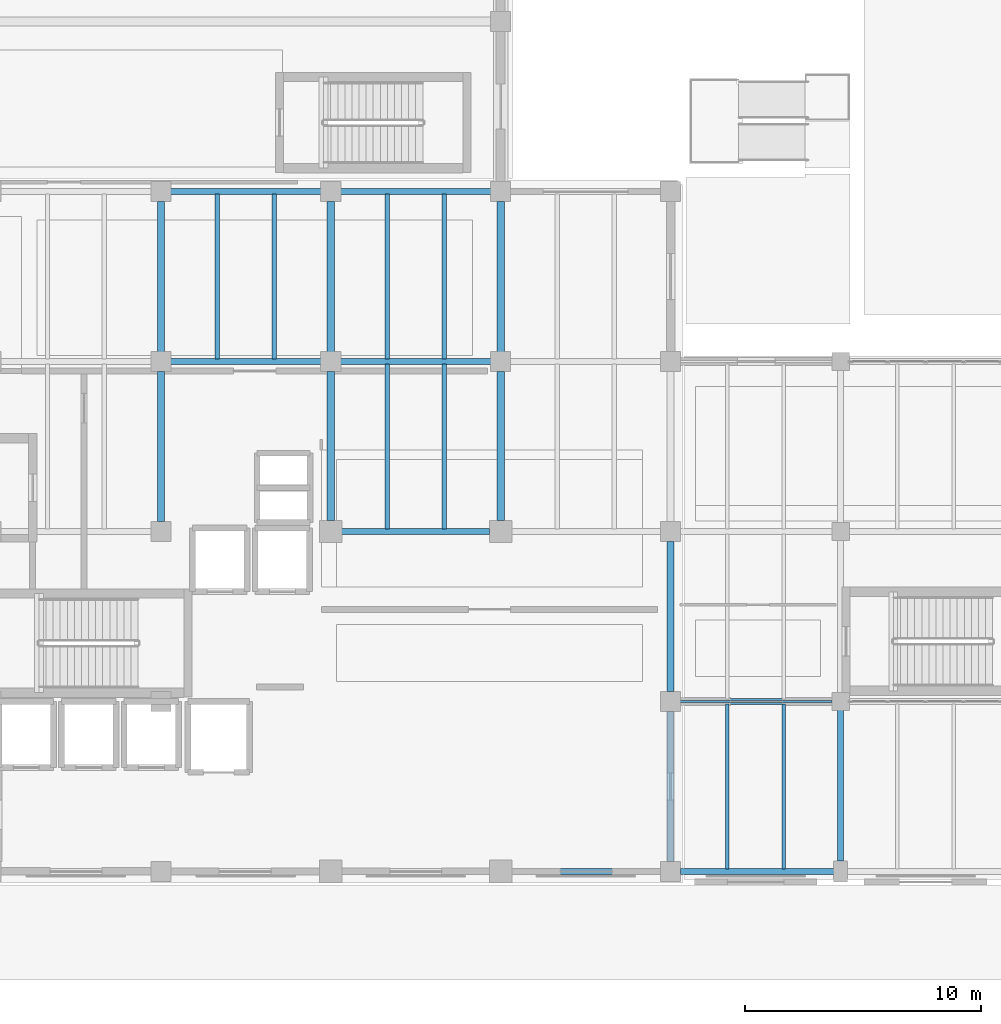
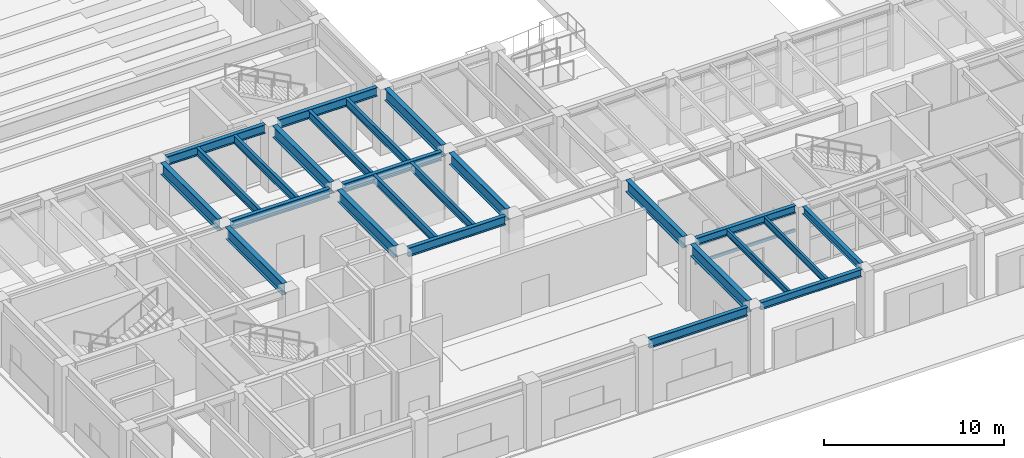
# One storey, part 6 of 39: 26 beams.
"""IFC4 building model written with IfcOpenShell, lengths in metres."""

from ifc_helpers import new_model, si_unit, direction, frame, origin, origin_2d, place, context, subcontext, project, spatial, hollow_rectangle, i_section, extrude, material, material_profile, profile_set, type_object, element, save


model = new_model("IFC4")

# Units and contexts
model_context = context("Model", 3, precision=1e-05, world=origin(), true_north=direction((0.0, 1.0)))
body_context = subcontext(model_context, "Body", "Model", "MODEL_VIEW")
ifc_project = project(units=[si_unit("LENGTHUNIT", "METRE"), si_unit("AREAUNIT", "SQUARE_METRE"), si_unit("VOLUMEUNIT", "CUBIC_METRE"), si_unit("PLANEANGLEUNIT", "RADIAN"), si_unit("MASSUNIT", "GRAM", prefix="KILO")], contexts=[model_context])

# Site, building, storey
site_placement = place(None, origin())
site = spatial("IfcSite", under=ifc_project, at=site_placement, CompositionType="ELEMENT")
building_placement = place(site_placement, origin())
building = spatial("IfcBuilding", under=site, at=building_placement, Name="Kandorven Conservatory and Botanical Research Centre", CompositionType="ELEMENT")
storey_placement = place(building_placement, origin())
storey = spatial("IfcBuildingStorey", under=building, at=storey_placement, Name="L00", CompositionType="ELEMENT", Elevation=0.0)

# Beams
ifc_material_1 = material(Name="Steel S355 (IS 2062 E350)", Category="steel")
ifc_material_profile_1 = material_profile(ifc_material_1, i_section(OverallWidth=0.25, OverallDepth=0.60009765625, WebThickness=0.01171875, FlangeThickness=0.023681640625, at=origin_2d()))
ifc_profile_set_1 = profile_set([ifc_material_profile_1], Name="Steel S355 (IS 2062 E350)")
beam_type_1 = type_object("IfcBeamType", Name="Beam_FG-01", PredefinedType="USERDEFINED", material=ifc_profile_set_1)
beam_1_placement = place(storey_placement, frame((35.264892578125, 6.0, 4.179931640625), z_axis=(1.0, 0.0, 0.0), x_axis=(0.0, 1.0, 0.0)))
element("IfcBeam", 1, at=beam_1_placement, inside=storey, type_object=beam_type_1, Name="Primary girder FG-01 TWR L00", ObjectType="GIRDER", PredefinedType="USERDEFINED", context=body_context, shape_type="SweptSolid", body=[
    extrude(i_section(OverallWidth=0.25, OverallDepth=0.60009765625, WebThickness=0.01171875, FlangeThickness=0.023681640625, at=origin_2d()), origin(), (0.0, 0.0, 1.0), 6.320068359375),
])
beam_2_placement = place(storey_placement, frame((28.06494140625, 20.39990234375, 4.179931640625), z_axis=(1.0, 0.0, 0.0), x_axis=(0.0, 1.0, 0.0)))
element("IfcBeam", 2, at=beam_2_placement, inside=storey, type_object=beam_type_1, Name="Primary girder FG-01 TWR L00", ObjectType="GIRDER", PredefinedType="USERDEFINED", context=body_context, shape_type="SweptSolid", body=[
    extrude(i_section(OverallWidth=0.25, OverallDepth=0.60009765625, WebThickness=0.01171875, FlangeThickness=0.023681640625, at=origin_2d()), origin(), (0.0, 0.0, 1.0), 6.27001953125),
])
for number, where, z_axis, x_axis, name in (
    (3, (20.81494140625, 27.60009765625, 4.179931640625), (1.0, 0.0, 0.0), (0.0, 1.0, 0.0), "Primary girder FG-01 TWR L00"),
    (4, (28.014892578125, 27.60009765625, 4.179931640625), (1.0, 0.0, 0.0), (0.0, 1.0, 0.0), "Primary girder FG-01 TWR L00"),
    (5, (20.81494140625, 34.800048828125, 4.179931640625), (1.0, 0.0, 0.0), (0.0, 1.0, 0.0), "Primary girder FG-01 TWR L00"),
    (6, (28.014892578125, 34.800048828125, 4.179931640625), (1.0, 0.0, 0.0), (0.0, 1.0, 0.0), "Primary girder FG-01 TWR L00"),
):
    element("IfcBeam", number, at=place(storey_placement, frame(where, z_axis=z_axis, x_axis=x_axis)), inside=storey, type_object=beam_type_1, Name=name, ObjectType="GIRDER", PredefinedType="USERDEFINED", context=body_context, shape_type="SweptSolid", body=[
        extrude(i_section(OverallWidth=0.25, OverallDepth=0.60009765625, WebThickness=0.01171875, FlangeThickness=0.023681640625, at=origin_2d()), origin(), (0.0, 0.0, 1.0), 6.3701171875),
    ])
ifc_material_2 = material(Name="Steel S355 (IS 2062 E350)", Category="steel")
ifc_material_profile_2 = material_profile(ifc_material_2, i_section(OverallWidth=0.25, OverallDepth=0.5, WebThickness=0.010009765625, FlangeThickness=0.0146484375, at=origin_2d()))
ifc_profile_set_2 = profile_set([ifc_material_profile_2], Name="Steel S355 (IS 2062 E350)")
beam_type_2 = type_object("IfcBeamType", Name="Beam_FG-02", PredefinedType="USERDEFINED", material=ifc_profile_set_2)
beam_3_placement = place(storey_placement, frame((42.4150390625, 6.0, 4.22998046875), z_axis=(1.0, 0.0, 0.0), x_axis=(0.0, 1.0, 0.0)))
element("IfcBeam", 7, at=beam_3_placement, inside=storey, type_object=beam_type_2, Name="Primary girder FG-02 VIS L00", ObjectType="GIRDER", PredefinedType="USERDEFINED", context=body_context, shape_type="SweptSolid", body=[
    extrude(i_section(OverallWidth=0.25, OverallDepth=0.5, WebThickness=0.010009765625, FlangeThickness=0.0146484375, at=origin_2d()), origin(), (0.0, 0.0, 1.0), 6.494873046875),
])
beam_4_placement = place(storey_placement, frame((42.4150390625, 13.199951171875, 4.22998046875), z_axis=(1.0, 0.0, 0.0), x_axis=(0.0, 1.0, 0.0)))
element("IfcBeam", 8, at=beam_4_placement, inside=storey, type_object=beam_type_2, Name="Primary girder FG-02 VIS L00", ObjectType="GIRDER", PredefinedType="USERDEFINED", context=body_context, shape_type="SweptSolid", body=[
    extrude(i_section(OverallWidth=0.25, OverallDepth=0.5, WebThickness=0.010009765625, FlangeThickness=0.0146484375, at=origin_2d()), origin(), (0.0, 0.0, 1.0), 6.419921875),
])
beam_5_placement = place(storey_placement, frame((49.199951171875, 6.43994140625, 4.22998046875), z_axis=(0.0, 1.0, 0.0), x_axis=(-1.0, 0.0, 0.0)))
element("IfcBeam", 9, at=beam_5_placement, inside=storey, type_object=beam_type_2, Name="Primary girder FG-02 VIS L00", ObjectType="GIRDER", PredefinedType="USERDEFINED", context=body_context, shape_type="SweptSolid", body=[
    extrude(i_section(OverallWidth=0.25, OverallDepth=0.5, WebThickness=0.010009765625, FlangeThickness=0.0146484375, at=origin_2d()), origin(), (0.0, 0.0, 1.0), 6.39501953125),
])
ifc_material_3 = material(Name="Steel S355 (IS 2062 E350)", Category="steel")
ifc_material_profile_3 = material_profile(ifc_material_3, hollow_rectangle(XDim=0.10009765625, YDim=0.199951171875, WallThickness=0.008056640625, at=origin_2d()))
ifc_profile_set_3 = profile_set([ifc_material_profile_3], Name="Steel S355 (IS 2062 E350)")
beam_type_3 = type_object("IfcBeamType", Name="Beam_LN-01", PredefinedType="LINTEL", material=ifc_profile_set_3)
beam_6_placement = place(storey_placement, frame((42.375, 13.199951171875, 2.75), z_axis=(1.0, 0.0, 0.0), x_axis=(0.0, 1.0, 0.0)))
element("IfcBeam", 10, at=beam_6_placement, inside=storey, type_object=beam_type_3, Name="Column-to-column opening transom lintel LN-01 L00-1-1", PredefinedType="LINTEL", context=body_context, shape_type="SweptSolid", body=[
    extrude(hollow_rectangle(XDim=0.10009765625, YDim=0.199951171875, WallThickness=0.008056640625, at=origin_2d()), origin(), (0.0, 0.0, 1.0), 6.449951171875),
])
ifc_material_4 = material(Name="Steel S355 (IS 2062 E350)", Category="steel")
ifc_material_profile_4 = material_profile(ifc_material_4, i_section(OverallWidth=0.300048828125, OverallDepth=0.800048828125, WebThickness=0.01611328125, FlangeThickness=0.028076171875, at=origin_2d()))
ifc_profile_set_4 = profile_set([ifc_material_profile_4], Name="Steel S355 (IS 2062 E350)")
beam_type_4 = type_object("IfcBeamType", Name="Beam_PG-02", PredefinedType="USERDEFINED", material=ifc_profile_set_4)
for number, where, z_axis, x_axis, name in (
    (11, (20.39990234375, 20.81494140625, 4.080078125), (0.0, 1.0, 0.0), (-1.0, 0.0, 0.0), "Primary girder PG-02 TWR L00"),
    (12, (20.39990234375, 28.014892578125, 4.080078125), (0.0, 1.0, 0.0), (-1.0, 0.0, 0.0), "Primary girder PG-02 TWR L00"),
):
    element("IfcBeam", number, at=place(storey_placement, frame(where, z_axis=z_axis, x_axis=x_axis)), inside=storey, type_object=beam_type_4, Name=name, ObjectType="GIRDER", PredefinedType="USERDEFINED", context=body_context, shape_type="SweptSolid", body=[
        extrude(i_section(OverallWidth=0.300048828125, OverallDepth=0.800048828125, WebThickness=0.01611328125, FlangeThickness=0.028076171875, at=origin_2d()), origin(), (0.0, 0.0, 1.0), 6.3701171875),
    ])
beam_7_placement = place(storey_placement, frame((27.60009765625, 20.864990234375, 4.080078125), z_axis=(0.0, 1.0, 0.0), x_axis=(-1.0, 0.0, 0.0)))
element("IfcBeam", 13, at=beam_7_placement, inside=storey, type_object=beam_type_4, Name="Primary girder PG-02 TWR L00", ObjectType="GIRDER", PredefinedType="USERDEFINED", context=body_context, shape_type="SweptSolid", body=[
    extrude(i_section(OverallWidth=0.300048828125, OverallDepth=0.800048828125, WebThickness=0.01611328125, FlangeThickness=0.028076171875, at=origin_2d()), origin(), (0.0, 0.0, 1.0), 6.320068359375),
])
beam_8_placement = place(storey_placement, frame((27.60009765625, 28.014892578125, 4.080078125), z_axis=(0.0, 1.0, 0.0), x_axis=(-1.0, 0.0, 0.0)))
element("IfcBeam", 14, at=beam_8_placement, inside=storey, type_object=beam_type_4, Name="Primary girder PG-02 TWR L00", ObjectType="GIRDER", PredefinedType="USERDEFINED", context=body_context, shape_type="SweptSolid", body=[
    extrude(i_section(OverallWidth=0.300048828125, OverallDepth=0.800048828125, WebThickness=0.01611328125, FlangeThickness=0.028076171875, at=origin_2d()), origin(), (0.0, 0.0, 1.0), 6.3701171875),
])
beam_9_placement = place(storey_placement, frame((34.800048828125, 20.864990234375, 4.080078125), z_axis=(0.0, 1.0, 0.0), x_axis=(-1.0, 0.0, 0.0)))
element("IfcBeam", 15, at=beam_9_placement, inside=storey, type_object=beam_type_4, Name="Primary girder PG-02 TWR L00", ObjectType="GIRDER", PredefinedType="USERDEFINED", context=body_context, shape_type="SweptSolid", body=[
    extrude(i_section(OverallWidth=0.300048828125, OverallDepth=0.800048828125, WebThickness=0.01611328125, FlangeThickness=0.028076171875, at=origin_2d()), origin(), (0.0, 0.0, 1.0), 6.320068359375),
])
beam_10_placement = place(storey_placement, frame((34.800048828125, 28.014892578125, 4.080078125), z_axis=(0.0, 1.0, 0.0), x_axis=(-1.0, 0.0, 0.0)))
element("IfcBeam", 16, at=beam_10_placement, inside=storey, type_object=beam_type_4, Name="Primary girder PG-02 TWR L00", ObjectType="GIRDER", PredefinedType="USERDEFINED", context=body_context, shape_type="SweptSolid", body=[
    extrude(i_section(OverallWidth=0.300048828125, OverallDepth=0.800048828125, WebThickness=0.01611328125, FlangeThickness=0.028076171875, at=origin_2d()), origin(), (0.0, 0.0, 1.0), 6.3701171875),
])
beam_11_placement = place(storey_placement, frame((42.0, 6.4150390625, 4.080078125), z_axis=(0.0, 1.0, 0.0), x_axis=(-1.0, 0.0, 0.0)))
element("IfcBeam", 17, at=beam_11_placement, inside=storey, type_object=beam_type_4, Name="Primary girder PG-02 TWR L00", ObjectType="GIRDER", PredefinedType="USERDEFINED", context=body_context, shape_type="SweptSolid", body=[
    extrude(i_section(OverallWidth=0.300048828125, OverallDepth=0.800048828125, WebThickness=0.01611328125, FlangeThickness=0.028076171875, at=origin_2d()), origin(), (0.0, 0.0, 1.0), 6.369873046875),
])
beam_12_placement = place(storey_placement, frame((42.0, 13.614990234375, 4.080078125), z_axis=(0.0, 1.0, 0.0), x_axis=(-1.0, 0.0, 0.0)))
element("IfcBeam", 18, at=beam_12_placement, inside=storey, type_object=beam_type_4, Name="Primary girder PG-02 TWR L00", ObjectType="GIRDER", PredefinedType="USERDEFINED", context=body_context, shape_type="SweptSolid", body=[
    extrude(i_section(OverallWidth=0.300048828125, OverallDepth=0.800048828125, WebThickness=0.01611328125, FlangeThickness=0.028076171875, at=origin_2d()), origin(), (0.0, 0.0, 1.0), 6.3701171875),
])
ifc_material_5 = material(Name="Steel S355 (IS 2062 E350)", Category="steel")
ifc_material_profile_5 = material_profile(ifc_material_5, i_section(OverallWidth=0.18994140625, OverallDepth=0.550048828125, WebThickness=0.01123046875, FlangeThickness=0.019287109375, at=origin_2d()))
ifc_profile_set_5 = profile_set([ifc_material_profile_5], Name="Steel S355 (IS 2062 E350)")
beam_type_5 = type_object("IfcBeamType", Name="Beam_SB-02", PredefinedType="BEAM", material=ifc_profile_set_5)
for number, where, z_axis, x_axis, name in (
    (19, (22.800048828125, 27.7099609375, 4.205078125), (0.0, 1.0, 0.0), (-1.0, 0.0, 0.0), "Composite secondary beam SB-02 TWR L00"),
    (20, (25.199951171875, 27.7099609375, 4.205078125), (0.0, 1.0, 0.0), (-1.0, 0.0, 0.0), "Composite secondary beam SB-02 TWR L00"),
    (21, (30.0, 20.510009765625, 4.205078125), (0.0, 1.0, 0.0), (-1.0, 0.0, 0.0), "Composite secondary beam SB-02 TWR L00"),
    (22, (32.39990234375, 20.510009765625, 4.205078125), (0.0, 1.0, 0.0), (-1.0, 0.0, 0.0), "Composite secondary beam SB-02 TWR L00"),
    (23, (30.0, 27.7099609375, 4.205078125), (0.0, 1.0, 0.0), (-1.0, 0.0, 0.0), "Composite secondary beam SB-02 TWR L00"),
    (24, (32.39990234375, 27.7099609375, 4.205078125), (0.0, 1.0, 0.0), (-1.0, 0.0, 0.0), "Composite secondary beam SB-02 TWR L00"),
):
    element("IfcBeam", number, at=place(storey_placement, frame(where, z_axis=z_axis, x_axis=x_axis)), inside=storey, type_object=beam_type_5, Name=name, PredefinedType="BEAM", context=body_context, shape_type="SweptSolid", body=[
        extrude(i_section(OverallWidth=0.18994140625, OverallDepth=0.550048828125, WebThickness=0.01123046875, FlangeThickness=0.019287109375, at=origin_2d()), origin(), (0.0, 0.0, 1.0), 6.97998046875),
    ])
ifc_material_6 = material(Name="Steel S355 (IS 2062 E350)", Category="steel")
ifc_material_profile_6 = material_profile(ifc_material_6, i_section(OverallWidth=0.14990234375, OverallDepth=0.449951171875, WebThickness=0.009521484375, FlangeThickness=0.017333984375, at=origin_2d()))
ifc_profile_set_6 = profile_set([ifc_material_profile_6], Name="Steel S355 (IS 2062 E350)")
beam_type_6 = type_object("IfcBeamType", Name="Beam_SB-04", PredefinedType="BEAM", material=ifc_profile_set_6)
for number, where, z_axis, x_axis, name in (
    (25, (44.39990234375, 6.110107421875, 4.2548828125), (0.0, 1.0, 0.0), (-1.0, 0.0, 0.0), "Composite secondary beam SB-04 VIS L00"),
    (26, (46.800048828125, 6.110107421875, 4.2548828125), (0.0, 1.0, 0.0), (-1.0, 0.0, 0.0), "Composite secondary beam SB-04 VIS L00"),
):
    element("IfcBeam", number, at=place(storey_placement, frame(where, z_axis=z_axis, x_axis=x_axis)), inside=storey, type_object=beam_type_6, Name=name, PredefinedType="BEAM", context=body_context, shape_type="SweptSolid", body=[
        extrude(i_section(OverallWidth=0.14990234375, OverallDepth=0.449951171875, WebThickness=0.009521484375, FlangeThickness=0.017333984375, at=origin_2d()), origin(), (0.0, 0.0, 1.0), 6.97998046875),
    ])

save(model, "model.ifc")
